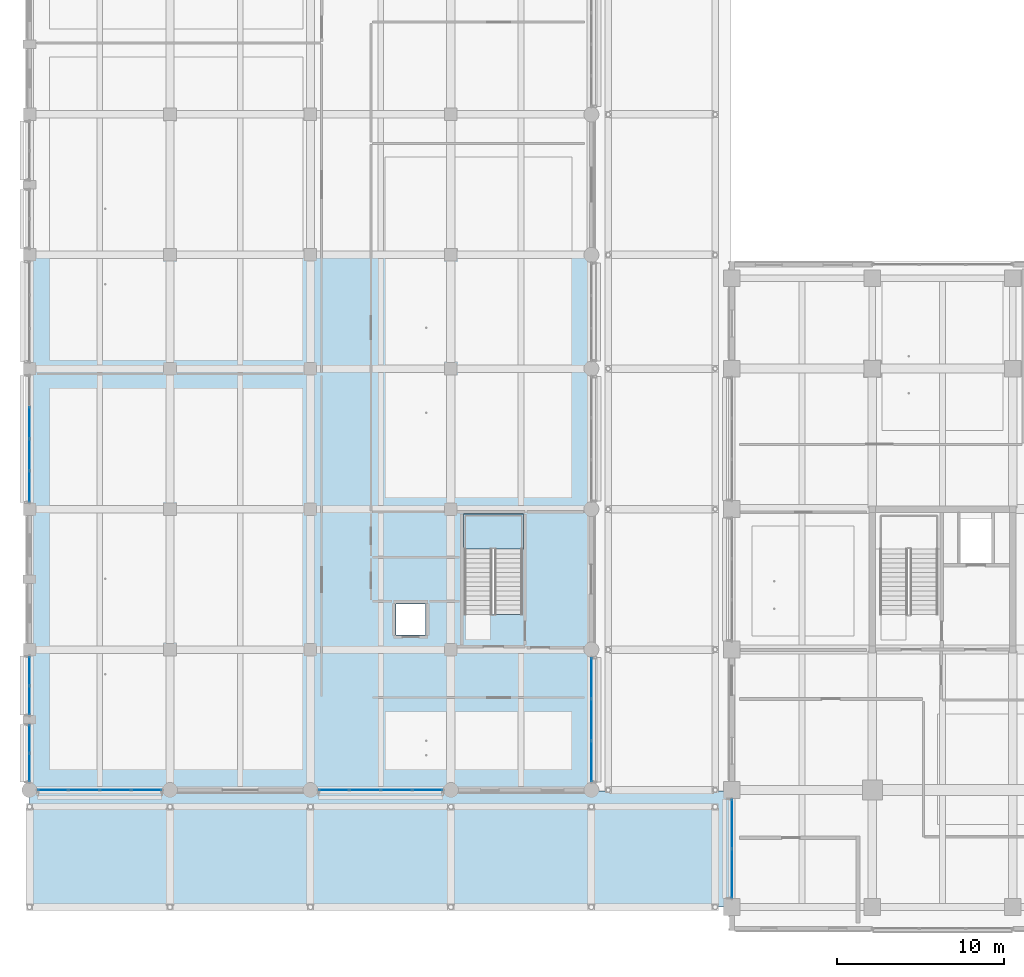
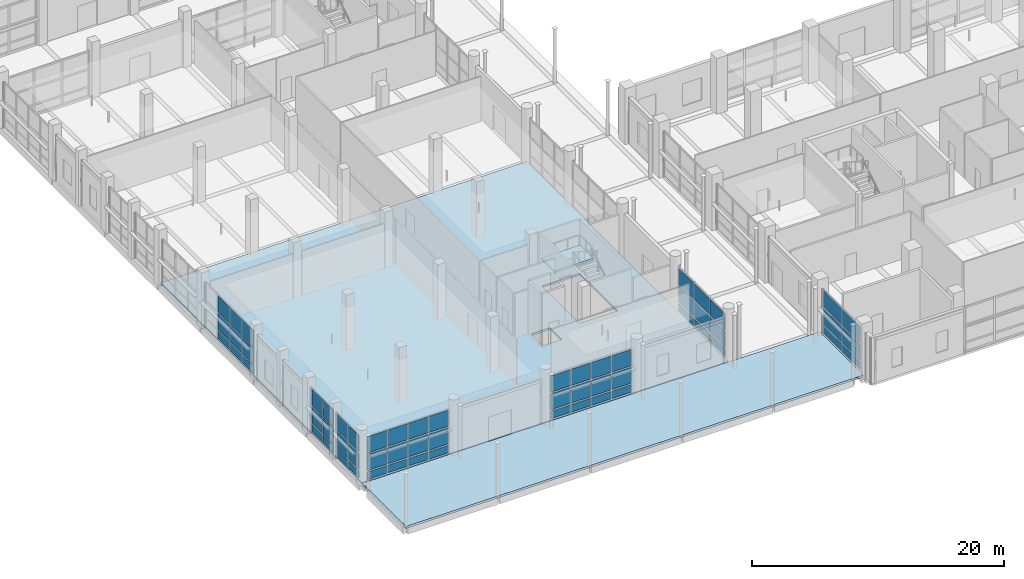
# One storey, part 45 of 140: 60 plates, 3 slabs, 8 elements without a shape of their own.
"""IFC4 building model written with IfcOpenShell, lengths in metres."""

from ifc_helpers import new_model, si_unit, direction, frame, origin, origin_2d, place, context, subcontext, project, spatial, polyline, rectangle, outline, extrude, material, layer, layer_set, type_object, element, aggregate, save


model = new_model("IFC4")

# Units and contexts
model_context = context("Model", 3, precision=1e-05, world=origin(), true_north=direction((0.0, 1.0)))
body_context = subcontext(model_context, "Body", "Model", "MODEL_VIEW")
ifc_project = project(units=[si_unit("LENGTHUNIT", "METRE"), si_unit("AREAUNIT", "SQUARE_METRE"), si_unit("VOLUMEUNIT", "CUBIC_METRE"), si_unit("PLANEANGLEUNIT", "RADIAN"), si_unit("MASSUNIT", "GRAM", prefix="KILO")], contexts=[model_context])

# Site, building, storey
site_placement = place(None, origin())
site = spatial("IfcSite", under=ifc_project, at=site_placement, CompositionType="ELEMENT")
building_placement = place(site_placement, origin())
building = spatial("IfcBuilding", under=site, at=building_placement, Name="Telukmera Botanical Conservatory", CompositionType="ELEMENT")
storey_placement = place(building_placement, origin())
storey = spatial("IfcBuildingStorey", under=building, at=storey_placement, Name="L00", CompositionType="ELEMENT", Elevation=0.0)

# Stair, slab
ifc_material_1 = material(Name="Concrete C40/50", Category="concrete")
stair_type = type_object("IfcStairType", Name="ST-ESC-5400", PredefinedType="HALF_TURN_STAIR", material=ifc_material_1)
stair_placement = place(storey_placement, origin())
stair = element("IfcStair", 1, at=stair_placement, inside=storey, type_object=stair_type, Name="L00 Protected Escape Stair ST3", PredefinedType="HALF_TURN_STAIR")
ifc_layer_1 = layer(ifc_material_1, 0.199951171875)
ifc_layer_set_1 = layer_set([ifc_layer_1], Name="Concrete C40/50")
slab_type_1 = type_object("IfcSlabType", Name="SL-LAND-200", PredefinedType="LANDING", material=ifc_layer_set_1)
slab_1_placement = place(storey_placement, frame((0.0, 0.0, 2.5)))
slab_1 = element("IfcSlab", 2, at=slab_1_placement, type_object=slab_type_1, Name="ST3 landing 1", PredefinedType="LANDING", context=body_context, shape_type="SweptSolid", body=[
    extrude(outline(polyline([(34.35009765625, 32.010009765625), (37.929931640625, 32.010009765625), (37.929931640625, 34.1201171875), (34.35009765625, 34.1201171875), (34.35009765625, 32.010009765625)])), origin(), (0.0, 0.0, 1.0), 0.199951171875),
])
aggregate(stair, [slab_1])

# Slabs
ifc_layer_2 = layer(ifc_material_1, 0.199951171875)
ifc_layer_set_2 = layer_set([ifc_layer_2], Name="Concrete C40/50")
slab_type_2 = type_object("IfcSlabType", Name="Slab_FS20", PredefinedType="FLOOR", material=ifc_layer_set_2)
slab_2_placement = place(storey_placement, frame((0.0, 0.0, -0.199951171875)))
element("IfcSlab", 3, at=slab_2_placement, inside=storey, type_object=slab_type_2, Name="Visitor Centre South Floor Slab L00", PredefinedType="FLOOR", context=body_context, shape_type="SweptSolid", body=[
    extrude(outline(polyline([(8.39990234375, 17.60009765625), (42.0, 17.60009765625), (42.0, 49.60009765625), (8.39990234375, 49.60009765625), (8.39990234375, 17.60009765625)]), holes=[polyline([(37.8798828125, 28.093017578125), (37.8798828125, 34.050048828125), (34.39990234375, 34.050048828125), (34.39990234375, 28.093017578125), (37.8798828125, 28.093017578125)]), polyline([(30.330078125, 26.8798828125), (32.070068359375, 26.8798828125), (32.070068359375, 28.719970703125), (30.330078125, 28.719970703125), (30.330078125, 26.8798828125)])]), origin(), (0.0, 0.0, 1.0), 0.199951171875),
])
ifc_layer_3 = layer(ifc_material_1, 0.199951171875)
ifc_layer_set_3 = layer_set([ifc_layer_3], Name="Concrete C40/50")
slab_type_3 = type_object("IfcSlabType", Name="Slab_TS20", PredefinedType="FLOOR", material=ifc_layer_set_3)
slab_3_placement = place(storey_placement, frame((0.0, 0.0, -0.199951171875)))
element("IfcSlab", 4, at=slab_3_placement, inside=storey, type_object=slab_type_3, Name="Boulevard Forecourt Deck Slab L00", PredefinedType="FLOOR", context=body_context, shape_type="SweptSolid", body=[
    extrude(outline(polyline([(8.39990234375, 10.60009765625), (50.340087890625, 10.60009765625), (50.340087890625, 17.5400390625), (8.39990234375, 17.5400390625), (8.39990234375, 10.60009765625)])), origin(), (0.0, 0.0, 1.0), 0.199951171875),
])

# Curtain wall, plates
ifc_material_2 = material(Name="Anodised aluminium 6063-T6", Category="aluminium")
ifc_layer_4 = layer(ifc_material_2, 0.179931640625)
ifc_layer_set_4 = layer_set([ifc_layer_4], Name="Anodised aluminium 6063-T6")
curtain_wall_type_1 = type_object("IfcCurtainWallType", Name="Visitor Colonnade Ground Curtain Wall 2400 Mod", PredefinedType="USERDEFINED", material=ifc_layer_set_4)
curtain_wall_1_placement = place(storey_placement, origin())
curtain_wall_1 = element("IfcCurtainWall", 5, at=curtain_wall_1_placement, inside=storey, type_object=curtain_wall_type_1, Name="Unitised Curtain Wall CW07 V3:L00:E1", ObjectType="UNITISED CURTAIN WALL", PredefinedType="USERDEFINED")
ifc_material_3 = material(Name="Spectrally selective low-E double glazing", Category="glass")
ifc_layer_5 = layer(ifc_material_3, 0.0380859375)
ifc_layer_set_5 = layer_set([ifc_layer_5], Name="Spectrally selective low-E double glazing")
plate_type_1 = type_object("IfcPlateType", Name="Solar Control Fritted Spandrel Glazing Panel 38", PredefinedType="CURTAIN_PANEL", material=ifc_layer_set_5)
plate_1_placement = place(storey_placement, frame((42.0, 19.31884765625, 0.14990234375), z_axis=(0.0, 0.0, 1.0), x_axis=(0.0, 1.0, 0.0)))
plate_1 = element("IfcPlate", 6, at=plate_1_placement, type_object=plate_type_1, Name="CW07 panel 1.1", PredefinedType="CURTAIN_PANEL", context=body_context, shape_type="SweptSolid", body=[
    extrude(rectangle(XDim=2.3935546875, YDim=0.0380859375, at=origin_2d()), origin(), (0.0, 0.0, 1.0), 0.72509765625),
])
plate_2_placement = place(storey_placement, frame((42.0, 19.31884765625, 1.02490234375), z_axis=(0.0, 0.0, 1.0), x_axis=(0.0, 1.0, 0.0)))
plate_2 = element("IfcPlate", 7, at=plate_2_placement, type_object=plate_type_1, Name="CW07 panel 1.2", PredefinedType="CURTAIN_PANEL", context=body_context, shape_type="SweptSolid", body=[
    extrude(rectangle(XDim=2.3935546875, YDim=0.0380859375, at=origin_2d()), origin(), (0.0, 0.0, 1.0), 1.550048828125),
])
plate_3_placement = place(storey_placement, frame((42.0, 19.31884765625, 2.72509765625), z_axis=(0.0, 0.0, 1.0), x_axis=(0.0, 1.0, 0.0)))
plate_3 = element("IfcPlate", 8, at=plate_3_placement, type_object=plate_type_1, Name="CW07 panel 1.3", PredefinedType="CURTAIN_PANEL", context=body_context, shape_type="SweptSolid", body=[
    extrude(rectangle(XDim=2.3935546875, YDim=0.0380859375, at=origin_2d()), origin(), (0.0, 0.0, 1.0), 1.574951171875),
])
plate_4_placement = place(storey_placement, frame((42.0, 21.800048828125, 0.14990234375), z_axis=(0.0, 0.0, 1.0), x_axis=(0.0, 1.0, 0.0)))
plate_4 = element("IfcPlate", 9, at=plate_4_placement, type_object=plate_type_1, Name="CW07 panel 2.1", PredefinedType="CURTAIN_PANEL", context=body_context, shape_type="SweptSolid", body=[
    extrude(rectangle(XDim=2.4287109375, YDim=0.0380859375, at=origin_2d()), origin(), (0.0, 0.0, 1.0), 0.72509765625),
])
plate_5_placement = place(storey_placement, frame((42.0, 21.800048828125, 1.02490234375), z_axis=(0.0, 0.0, 1.0), x_axis=(0.0, 1.0, 0.0)))
plate_5 = element("IfcPlate", 10, at=plate_5_placement, type_object=plate_type_1, Name="CW07 panel 2.2", PredefinedType="CURTAIN_PANEL", context=body_context, shape_type="SweptSolid", body=[
    extrude(rectangle(XDim=2.4287109375, YDim=0.0380859375, at=origin_2d()), origin(), (0.0, 0.0, 1.0), 1.550048828125),
])
plate_6_placement = place(storey_placement, frame((42.0, 21.800048828125, 2.72509765625), z_axis=(0.0, 0.0, 1.0), x_axis=(0.0, 1.0, 0.0)))
plate_6 = element("IfcPlate", 11, at=plate_6_placement, type_object=plate_type_1, Name="CW07 panel 2.3", PredefinedType="CURTAIN_PANEL", context=body_context, shape_type="SweptSolid", body=[
    extrude(rectangle(XDim=2.4287109375, YDim=0.0380859375, at=origin_2d()), origin(), (0.0, 0.0, 1.0), 1.574951171875),
])
plate_7_placement = place(storey_placement, frame((42.0, 24.28125, 0.14990234375), z_axis=(0.0, 0.0, 1.0), x_axis=(0.0, 1.0, 0.0)))
plate_7 = element("IfcPlate", 12, at=plate_7_placement, type_object=plate_type_1, Name="CW07 panel 3.1", PredefinedType="CURTAIN_PANEL", context=body_context, shape_type="SweptSolid", body=[
    extrude(rectangle(XDim=2.3935546875, YDim=0.0380859375, at=origin_2d()), origin(), (0.0, 0.0, 1.0), 0.72509765625),
])
plate_8_placement = place(storey_placement, frame((42.0, 24.28125, 1.02490234375), z_axis=(0.0, 0.0, 1.0), x_axis=(0.0, 1.0, 0.0)))
plate_8 = element("IfcPlate", 13, at=plate_8_placement, type_object=plate_type_1, Name="CW07 panel 3.2", PredefinedType="CURTAIN_PANEL", context=body_context, shape_type="SweptSolid", body=[
    extrude(rectangle(XDim=2.3935546875, YDim=0.0380859375, at=origin_2d()), origin(), (0.0, 0.0, 1.0), 1.550048828125),
])
plate_9_placement = place(storey_placement, frame((42.0, 24.28125, 2.72509765625), z_axis=(0.0, 0.0, 1.0), x_axis=(0.0, 1.0, 0.0)))
plate_9 = element("IfcPlate", 14, at=plate_9_placement, type_object=plate_type_1, Name="CW07 panel 3.3", PredefinedType="CURTAIN_PANEL", context=body_context, shape_type="SweptSolid", body=[
    extrude(rectangle(XDim=2.3935546875, YDim=0.0380859375, at=origin_2d()), origin(), (0.0, 0.0, 1.0), 1.574951171875),
])
aggregate(curtain_wall_1, [plate_1, plate_2, plate_3, plate_4, plate_5, plate_6, plate_7, plate_8, plate_9])

ifc_layer_6 = layer(ifc_material_2, 0.179931640625)
ifc_layer_set_6 = layer_set([ifc_layer_6], Name="Anodised aluminium 6063-T6")
curtain_wall_type_2 = type_object("IfcCurtainWallType", Name="Tower Boulevard Podium Hall Curtain Wall", PredefinedType="USERDEFINED", material=ifc_layer_set_6)
curtain_wall_2_placement = place(storey_placement, origin())
curtain_wall_2 = element("IfcCurtainWall", 15, at=curtain_wall_2_placement, inside=storey, type_object=curtain_wall_type_2, Name="Unitised Curtain Wall CW12 V4:L00:W1", ObjectType="UNITISED CURTAIN WALL", PredefinedType="USERDEFINED")
plate_10_placement = place(storey_placement, frame((50.39990234375, 12.618408203125, 0.14990234375), z_axis=(0.0, 0.0, 1.0), x_axis=(0.0, 1.0, 0.0)))
plate_10 = element("IfcPlate", 16, at=plate_10_placement, type_object=plate_type_1, Name="CW12 panel 1.1", PredefinedType="CURTAIN_PANEL", context=body_context, shape_type="SweptSolid", body=[
    extrude(rectangle(XDim=2.89306640625, YDim=0.0380859375, at=origin_2d()), origin(), (0.0, 0.0, 1.0), 0.72509765625),
])
plate_11_placement = place(storey_placement, frame((50.39990234375, 12.618408203125, 1.02490234375), z_axis=(0.0, 0.0, 1.0), x_axis=(0.0, 1.0, 0.0)))
plate_11 = element("IfcPlate", 17, at=plate_11_placement, type_object=plate_type_1, Name="CW12 panel 1.2", PredefinedType="CURTAIN_PANEL", context=body_context, shape_type="SweptSolid", body=[
    extrude(rectangle(XDim=2.89306640625, YDim=0.0380859375, at=origin_2d()), origin(), (0.0, 0.0, 1.0), 1.550048828125),
])
plate_12_placement = place(storey_placement, frame((50.39990234375, 12.618408203125, 2.72509765625), z_axis=(0.0, 0.0, 1.0), x_axis=(0.0, 1.0, 0.0)))
plate_12 = element("IfcPlate", 18, at=plate_12_placement, type_object=plate_type_1, Name="CW12 panel 1.3", PredefinedType="CURTAIN_PANEL", context=body_context, shape_type="SweptSolid", body=[
    extrude(rectangle(XDim=2.89306640625, YDim=0.0380859375, at=origin_2d()), origin(), (0.0, 0.0, 1.0), 1.574951171875),
])
plate_13_placement = place(storey_placement, frame((50.39990234375, 15.58154296875, 0.14990234375), z_axis=(0.0, 0.0, 1.0), x_axis=(0.0, 1.0, 0.0)))
plate_13 = element("IfcPlate", 19, at=plate_13_placement, type_object=plate_type_1, Name="CW12 panel 2.1", PredefinedType="CURTAIN_PANEL", context=body_context, shape_type="SweptSolid", body=[
    extrude(rectangle(XDim=2.89306640625, YDim=0.0380859375, at=origin_2d()), origin(), (0.0, 0.0, 1.0), 0.72509765625),
])
plate_14_placement = place(storey_placement, frame((50.39990234375, 15.58154296875, 1.02490234375), z_axis=(0.0, 0.0, 1.0), x_axis=(0.0, 1.0, 0.0)))
plate_14 = element("IfcPlate", 20, at=plate_14_placement, type_object=plate_type_1, Name="CW12 panel 2.2", PredefinedType="CURTAIN_PANEL", context=body_context, shape_type="SweptSolid", body=[
    extrude(rectangle(XDim=2.89306640625, YDim=0.0380859375, at=origin_2d()), origin(), (0.0, 0.0, 1.0), 1.550048828125),
])
plate_15_placement = place(storey_placement, frame((50.39990234375, 15.58154296875, 2.72509765625), z_axis=(0.0, 0.0, 1.0), x_axis=(0.0, 1.0, 0.0)))
plate_15 = element("IfcPlate", 21, at=plate_15_placement, type_object=plate_type_1, Name="CW12 panel 2.3", PredefinedType="CURTAIN_PANEL", context=body_context, shape_type="SweptSolid", body=[
    extrude(rectangle(XDim=2.89306640625, YDim=0.0380859375, at=origin_2d()), origin(), (0.0, 0.0, 1.0), 1.574951171875),
])
aggregate(curtain_wall_2, [plate_10, plate_11, plate_12, plate_13, plate_14, plate_15])

ifc_layer_7 = layer(ifc_material_2, 0.179931640625)
ifc_layer_set_7 = layer_set([ifc_layer_7], Name="Anodised aluminium 6063-T6")
curtain_wall_type_3 = type_object("IfcCurtainWallType", Name="Visitor Colonnade Ground Curtain Wall 1800 Mod", PredefinedType="USERDEFINED", material=ifc_layer_set_7)
curtain_wall_3_placement = place(storey_placement, origin())
curtain_wall_3 = element("IfcCurtainWall", 22, at=curtain_wall_3_placement, inside=storey, type_object=curtain_wall_type_3, Name="Unitised Curtain Wall CW06 V3:L00:S1", ObjectType="UNITISED CURTAIN WALL", PredefinedType="USERDEFINED")
ifc_layer_8 = layer(ifc_material_3, 0.028076171875)
ifc_layer_set_8 = layer_set([ifc_layer_8], Name="Spectrally selective low-E double glazing")
plate_type_2 = type_object("IfcPlateType", Name="Spectrally Selective Vision Double Glazing Panel 28", PredefinedType="CURTAIN_PANEL", material=ifc_layer_set_8)
plate_16_placement = place(storey_placement, frame((9.806396484375, 17.60009765625, 0.14990234375), z_axis=(0.0, 0.0, 1.0), x_axis=(1.0, 0.0, 0.0)))
plate_16 = element("IfcPlate", 23, at=plate_16_placement, type_object=plate_type_2, Name="CW06 panel 1.1", PredefinedType="CURTAIN_PANEL", context=body_context, shape_type="SweptSolid", body=[
    extrude(rectangle(XDim=1.76904296875, YDim=0.028076171875, at=origin_2d()), origin(), (0.0, 0.0, 1.0), 0.72509765625),
])
plate_17_placement = place(storey_placement, frame((9.806396484375, 17.60009765625, 1.02490234375), z_axis=(0.0, 0.0, 1.0), x_axis=(1.0, 0.0, 0.0)))
plate_17 = element("IfcPlate", 24, at=plate_17_placement, type_object=plate_type_2, Name="CW06 panel 1.2", PredefinedType="CURTAIN_PANEL", context=body_context, shape_type="SweptSolid", body=[
    extrude(rectangle(XDim=1.76904296875, YDim=0.028076171875, at=origin_2d()), origin(), (0.0, 0.0, 1.0), 1.550048828125),
])
plate_18_placement = place(storey_placement, frame((9.806396484375, 17.60009765625, 2.72509765625), z_axis=(0.0, 0.0, 1.0), x_axis=(1.0, 0.0, 0.0)))
plate_18 = element("IfcPlate", 25, at=plate_18_placement, type_object=plate_type_2, Name="CW06 panel 1.3", PredefinedType="CURTAIN_PANEL", context=body_context, shape_type="SweptSolid", body=[
    extrude(rectangle(XDim=1.76904296875, YDim=0.028076171875, at=origin_2d()), origin(), (0.0, 0.0, 1.0), 1.574951171875),
])
plate_19_placement = place(storey_placement, frame((11.6630859375, 17.60009765625, 0.14990234375), z_axis=(0.0, 0.0, 1.0), x_axis=(1.0, 0.0, 0.0)))
plate_19 = element("IfcPlate", 26, at=plate_19_placement, type_object=plate_type_2, Name="CW06 panel 2.1", PredefinedType="CURTAIN_PANEL", context=body_context, shape_type="SweptSolid", body=[
    extrude(rectangle(XDim=1.803955078125, YDim=0.028076171875, at=origin_2d()), origin(), (0.0, 0.0, 1.0), 0.72509765625),
])
plate_20_placement = place(storey_placement, frame((11.6630859375, 17.60009765625, 1.02490234375), z_axis=(0.0, 0.0, 1.0), x_axis=(1.0, 0.0, 0.0)))
plate_20 = element("IfcPlate", 27, at=plate_20_placement, type_object=plate_type_2, Name="CW06 panel 2.2", PredefinedType="CURTAIN_PANEL", context=body_context, shape_type="SweptSolid", body=[
    extrude(rectangle(XDim=1.803955078125, YDim=0.028076171875, at=origin_2d()), origin(), (0.0, 0.0, 1.0), 1.550048828125),
])
plate_21_placement = place(storey_placement, frame((11.6630859375, 17.60009765625, 2.72509765625), z_axis=(0.0, 0.0, 1.0), x_axis=(1.0, 0.0, 0.0)))
plate_21 = element("IfcPlate", 28, at=plate_21_placement, type_object=plate_type_2, Name="CW06 panel 2.3", PredefinedType="CURTAIN_PANEL", context=body_context, shape_type="SweptSolid", body=[
    extrude(rectangle(XDim=1.803955078125, YDim=0.028076171875, at=origin_2d()), origin(), (0.0, 0.0, 1.0), 1.574951171875),
])
plate_22_placement = place(storey_placement, frame((13.537109375, 17.60009765625, 0.14990234375), z_axis=(0.0, 0.0, 1.0), x_axis=(1.0, 0.0, 0.0)))
plate_22 = element("IfcPlate", 29, at=plate_22_placement, type_object=plate_type_2, Name="CW06 panel 3.1", PredefinedType="CURTAIN_PANEL", context=body_context, shape_type="SweptSolid", body=[
    extrude(rectangle(XDim=1.803955078125, YDim=0.028076171875, at=origin_2d()), origin(), (0.0, 0.0, 1.0), 0.72509765625),
])
plate_23_placement = place(storey_placement, frame((13.537109375, 17.60009765625, 1.02490234375), z_axis=(0.0, 0.0, 1.0), x_axis=(1.0, 0.0, 0.0)))
plate_23 = element("IfcPlate", 30, at=plate_23_placement, type_object=plate_type_2, Name="CW06 panel 3.2", PredefinedType="CURTAIN_PANEL", context=body_context, shape_type="SweptSolid", body=[
    extrude(rectangle(XDim=1.803955078125, YDim=0.028076171875, at=origin_2d()), origin(), (0.0, 0.0, 1.0), 1.550048828125),
])
plate_24_placement = place(storey_placement, frame((13.537109375, 17.60009765625, 2.72509765625), z_axis=(0.0, 0.0, 1.0), x_axis=(1.0, 0.0, 0.0)))
plate_24 = element("IfcPlate", 31, at=plate_24_placement, type_object=plate_type_2, Name="CW06 panel 3.3", PredefinedType="CURTAIN_PANEL", context=body_context, shape_type="SweptSolid", body=[
    extrude(rectangle(XDim=1.803955078125, YDim=0.028076171875, at=origin_2d()), origin(), (0.0, 0.0, 1.0), 1.574951171875),
])
plate_25_placement = place(storey_placement, frame((15.3935546875, 17.60009765625, 0.14990234375), z_axis=(0.0, 0.0, 1.0), x_axis=(1.0, 0.0, 0.0)))
plate_25 = element("IfcPlate", 32, at=plate_25_placement, type_object=plate_type_2, Name="CW06 panel 4.1", PredefinedType="CURTAIN_PANEL", context=body_context, shape_type="SweptSolid", body=[
    extrude(rectangle(XDim=1.76904296875, YDim=0.028076171875, at=origin_2d()), origin(), (0.0, 0.0, 1.0), 0.72509765625),
])
plate_26_placement = place(storey_placement, frame((15.3935546875, 17.60009765625, 1.02490234375), z_axis=(0.0, 0.0, 1.0), x_axis=(1.0, 0.0, 0.0)))
plate_26 = element("IfcPlate", 33, at=plate_26_placement, type_object=plate_type_2, Name="CW06 panel 4.2", PredefinedType="CURTAIN_PANEL", context=body_context, shape_type="SweptSolid", body=[
    extrude(rectangle(XDim=1.76904296875, YDim=0.028076171875, at=origin_2d()), origin(), (0.0, 0.0, 1.0), 1.550048828125),
])
plate_27_placement = place(storey_placement, frame((15.3935546875, 17.60009765625, 2.72509765625), z_axis=(0.0, 0.0, 1.0), x_axis=(1.0, 0.0, 0.0)))
plate_27 = element("IfcPlate", 34, at=plate_27_placement, type_object=plate_type_2, Name="CW06 panel 4.3", PredefinedType="CURTAIN_PANEL", context=body_context, shape_type="SweptSolid", body=[
    extrude(rectangle(XDim=1.76904296875, YDim=0.028076171875, at=origin_2d()), origin(), (0.0, 0.0, 1.0), 1.574951171875),
])
aggregate(curtain_wall_3, [plate_16, plate_17, plate_18, plate_19, plate_20, plate_21, plate_22, plate_23, plate_24, plate_25, plate_26, plate_27])

curtain_wall_4_placement = place(storey_placement, origin())
curtain_wall_4 = element("IfcCurtainWall", 35, at=curtain_wall_4_placement, inside=storey, type_object=curtain_wall_type_3, Name="Unitised Curtain Wall CW06 V3:L00:S3", ObjectType="UNITISED CURTAIN WALL", PredefinedType="USERDEFINED")
plate_28_placement = place(storey_placement, frame((26.6064453125, 17.60009765625, 0.14990234375), z_axis=(0.0, 0.0, 1.0), x_axis=(1.0, 0.0, 0.0)))
plate_28 = element("IfcPlate", 36, at=plate_28_placement, type_object=plate_type_2, Name="CW06 panel 1.1", PredefinedType="CURTAIN_PANEL", context=body_context, shape_type="SweptSolid", body=[
    extrude(rectangle(XDim=1.76904296875, YDim=0.028076171875, at=origin_2d()), origin(), (0.0, 0.0, 1.0), 0.72509765625),
])
plate_29_placement = place(storey_placement, frame((26.6064453125, 17.60009765625, 1.02490234375), z_axis=(0.0, 0.0, 1.0), x_axis=(1.0, 0.0, 0.0)))
plate_29 = element("IfcPlate", 37, at=plate_29_placement, type_object=plate_type_2, Name="CW06 panel 1.2", PredefinedType="CURTAIN_PANEL", context=body_context, shape_type="SweptSolid", body=[
    extrude(rectangle(XDim=1.76904296875, YDim=0.028076171875, at=origin_2d()), origin(), (0.0, 0.0, 1.0), 1.550048828125),
])
plate_30_placement = place(storey_placement, frame((26.6064453125, 17.60009765625, 2.72509765625), z_axis=(0.0, 0.0, 1.0), x_axis=(1.0, 0.0, 0.0)))
plate_30 = element("IfcPlate", 38, at=plate_30_placement, type_object=plate_type_2, Name="CW06 panel 1.3", PredefinedType="CURTAIN_PANEL", context=body_context, shape_type="SweptSolid", body=[
    extrude(rectangle(XDim=1.76904296875, YDim=0.028076171875, at=origin_2d()), origin(), (0.0, 0.0, 1.0), 1.574951171875),
])
plate_31_placement = place(storey_placement, frame((28.462890625, 17.60009765625, 0.14990234375), z_axis=(0.0, 0.0, 1.0), x_axis=(1.0, 0.0, 0.0)))
plate_31 = element("IfcPlate", 39, at=plate_31_placement, type_object=plate_type_2, Name="CW06 panel 2.1", PredefinedType="CURTAIN_PANEL", context=body_context, shape_type="SweptSolid", body=[
    extrude(rectangle(XDim=1.803955078125, YDim=0.028076171875, at=origin_2d()), origin(), (0.0, 0.0, 1.0), 0.72509765625),
])
plate_32_placement = place(storey_placement, frame((28.462890625, 17.60009765625, 1.02490234375), z_axis=(0.0, 0.0, 1.0), x_axis=(1.0, 0.0, 0.0)))
plate_32 = element("IfcPlate", 40, at=plate_32_placement, type_object=plate_type_2, Name="CW06 panel 2.2", PredefinedType="CURTAIN_PANEL", context=body_context, shape_type="SweptSolid", body=[
    extrude(rectangle(XDim=1.803955078125, YDim=0.028076171875, at=origin_2d()), origin(), (0.0, 0.0, 1.0), 1.550048828125),
])
plate_33_placement = place(storey_placement, frame((28.462890625, 17.60009765625, 2.72509765625), z_axis=(0.0, 0.0, 1.0), x_axis=(1.0, 0.0, 0.0)))
plate_33 = element("IfcPlate", 41, at=plate_33_placement, type_object=plate_type_2, Name="CW06 panel 2.3", PredefinedType="CURTAIN_PANEL", context=body_context, shape_type="SweptSolid", body=[
    extrude(rectangle(XDim=1.803955078125, YDim=0.028076171875, at=origin_2d()), origin(), (0.0, 0.0, 1.0), 1.574951171875),
])
plate_34_placement = place(storey_placement, frame((30.3369140625, 17.60009765625, 0.14990234375), z_axis=(0.0, 0.0, 1.0), x_axis=(1.0, 0.0, 0.0)))
plate_34 = element("IfcPlate", 42, at=plate_34_placement, type_object=plate_type_2, Name="CW06 panel 3.1", PredefinedType="CURTAIN_PANEL", context=body_context, shape_type="SweptSolid", body=[
    extrude(rectangle(XDim=1.803955078125, YDim=0.028076171875, at=origin_2d()), origin(), (0.0, 0.0, 1.0), 0.72509765625),
])
plate_35_placement = place(storey_placement, frame((30.3369140625, 17.60009765625, 1.02490234375), z_axis=(0.0, 0.0, 1.0), x_axis=(1.0, 0.0, 0.0)))
plate_35 = element("IfcPlate", 43, at=plate_35_placement, type_object=plate_type_2, Name="CW06 panel 3.2", PredefinedType="CURTAIN_PANEL", context=body_context, shape_type="SweptSolid", body=[
    extrude(rectangle(XDim=1.803955078125, YDim=0.028076171875, at=origin_2d()), origin(), (0.0, 0.0, 1.0), 1.550048828125),
])
plate_36_placement = place(storey_placement, frame((30.3369140625, 17.60009765625, 2.72509765625), z_axis=(0.0, 0.0, 1.0), x_axis=(1.0, 0.0, 0.0)))
plate_36 = element("IfcPlate", 44, at=plate_36_placement, type_object=plate_type_2, Name="CW06 panel 3.3", PredefinedType="CURTAIN_PANEL", context=body_context, shape_type="SweptSolid", body=[
    extrude(rectangle(XDim=1.803955078125, YDim=0.028076171875, at=origin_2d()), origin(), (0.0, 0.0, 1.0), 1.574951171875),
])
plate_37_placement = place(storey_placement, frame((32.193603515625, 17.60009765625, 0.14990234375), z_axis=(0.0, 0.0, 1.0), x_axis=(1.0, 0.0, 0.0)))
plate_37 = element("IfcPlate", 45, at=plate_37_placement, type_object=plate_type_2, Name="CW06 panel 4.1", PredefinedType="CURTAIN_PANEL", context=body_context, shape_type="SweptSolid", body=[
    extrude(rectangle(XDim=1.76904296875, YDim=0.028076171875, at=origin_2d()), origin(), (0.0, 0.0, 1.0), 0.72509765625),
])
plate_38_placement = place(storey_placement, frame((32.193603515625, 17.60009765625, 1.02490234375), z_axis=(0.0, 0.0, 1.0), x_axis=(1.0, 0.0, 0.0)))
plate_38 = element("IfcPlate", 46, at=plate_38_placement, type_object=plate_type_2, Name="CW06 panel 4.2", PredefinedType="CURTAIN_PANEL", context=body_context, shape_type="SweptSolid", body=[
    extrude(rectangle(XDim=1.76904296875, YDim=0.028076171875, at=origin_2d()), origin(), (0.0, 0.0, 1.0), 1.550048828125),
])
plate_39_placement = place(storey_placement, frame((32.193603515625, 17.60009765625, 2.72509765625), z_axis=(0.0, 0.0, 1.0), x_axis=(1.0, 0.0, 0.0)))
plate_39 = element("IfcPlate", 47, at=plate_39_placement, type_object=plate_type_2, Name="CW06 panel 4.3", PredefinedType="CURTAIN_PANEL", context=body_context, shape_type="SweptSolid", body=[
    extrude(rectangle(XDim=1.76904296875, YDim=0.028076171875, at=origin_2d()), origin(), (0.0, 0.0, 1.0), 1.574951171875),
])
aggregate(curtain_wall_4, [plate_28, plate_29, plate_30, plate_31, plate_32, plate_33, plate_34, plate_35, plate_36, plate_37, plate_38, plate_39])

curtain_wall_5_placement = place(storey_placement, origin())
curtain_wall_5 = element("IfcCurtainWall", 48, at=curtain_wall_5_placement, inside=storey, type_object=curtain_wall_type_3, Name="Unitised Curtain Wall CW06 V3:L00:W1A", ObjectType="UNITISED CURTAIN WALL", PredefinedType="USERDEFINED")
plate_40_placement = place(storey_placement, frame((8.39990234375, 18.943603515625, 0.14990234375), z_axis=(0.0, 0.0, 1.0), x_axis=(0.0, 1.0, 0.0)))
plate_40 = element("IfcPlate", 49, at=plate_40_placement, type_object=plate_type_2, Name="CW06 panel 1.1", PredefinedType="CURTAIN_PANEL", context=body_context, shape_type="SweptSolid", body=[
    extrude(rectangle(XDim=1.64306640625, YDim=0.028076171875, at=origin_2d()), origin(), (0.0, 0.0, 1.0), 0.72509765625),
])
plate_41_placement = place(storey_placement, frame((8.39990234375, 18.943603515625, 1.02490234375), z_axis=(0.0, 0.0, 1.0), x_axis=(0.0, 1.0, 0.0)))
plate_41 = element("IfcPlate", 50, at=plate_41_placement, type_object=plate_type_2, Name="CW06 panel 1.2", PredefinedType="CURTAIN_PANEL", context=body_context, shape_type="SweptSolid", body=[
    extrude(rectangle(XDim=1.64306640625, YDim=0.028076171875, at=origin_2d()), origin(), (0.0, 0.0, 1.0), 1.550048828125),
])
plate_42_placement = place(storey_placement, frame((8.39990234375, 18.943603515625, 2.72509765625), z_axis=(0.0, 0.0, 1.0), x_axis=(0.0, 1.0, 0.0)))
plate_42 = element("IfcPlate", 51, at=plate_42_placement, type_object=plate_type_2, Name="CW06 panel 1.3", PredefinedType="CURTAIN_PANEL", context=body_context, shape_type="SweptSolid", body=[
    extrude(rectangle(XDim=1.64306640625, YDim=0.028076171875, at=origin_2d()), origin(), (0.0, 0.0, 1.0), 1.574951171875),
])
plate_43_placement = place(storey_placement, frame((8.39990234375, 20.656494140625, 0.14990234375), z_axis=(0.0, 0.0, 1.0), x_axis=(0.0, 1.0, 0.0)))
plate_43 = element("IfcPlate", 52, at=plate_43_placement, type_object=plate_type_2, Name="CW06 panel 2.1", PredefinedType="CURTAIN_PANEL", context=body_context, shape_type="SweptSolid", body=[
    extrude(rectangle(XDim=1.64306640625, YDim=0.028076171875, at=origin_2d()), origin(), (0.0, 0.0, 1.0), 0.72509765625),
])
plate_44_placement = place(storey_placement, frame((8.39990234375, 20.656494140625, 1.02490234375), z_axis=(0.0, 0.0, 1.0), x_axis=(0.0, 1.0, 0.0)))
plate_44 = element("IfcPlate", 53, at=plate_44_placement, type_object=plate_type_2, Name="CW06 panel 2.2", PredefinedType="CURTAIN_PANEL", context=body_context, shape_type="SweptSolid", body=[
    extrude(rectangle(XDim=1.64306640625, YDim=0.028076171875, at=origin_2d()), origin(), (0.0, 0.0, 1.0), 1.550048828125),
])
plate_45_placement = place(storey_placement, frame((8.39990234375, 20.656494140625, 2.72509765625), z_axis=(0.0, 0.0, 1.0), x_axis=(0.0, 1.0, 0.0)))
plate_45 = element("IfcPlate", 54, at=plate_45_placement, type_object=plate_type_2, Name="CW06 panel 2.3", PredefinedType="CURTAIN_PANEL", context=body_context, shape_type="SweptSolid", body=[
    extrude(rectangle(XDim=1.64306640625, YDim=0.028076171875, at=origin_2d()), origin(), (0.0, 0.0, 1.0), 1.574951171875),
])
aggregate(curtain_wall_5, [plate_40, plate_41, plate_42, plate_43, plate_44, plate_45])

curtain_wall_6_placement = place(storey_placement, origin())
curtain_wall_6 = element("IfcCurtainWall", 55, at=curtain_wall_6_placement, inside=storey, type_object=curtain_wall_type_3, Name="Unitised Curtain Wall CW06 V3:L00:W1B", ObjectType="UNITISED CURTAIN WALL", PredefinedType="USERDEFINED")
plate_46_placement = place(storey_placement, frame((8.39990234375, 22.962158203125, 0.14990234375), z_axis=(0.0, 0.0, 1.0), x_axis=(0.0, 1.0, 0.0)))
plate_46 = element("IfcPlate", 56, at=plate_46_placement, type_object=plate_type_2, Name="CW06 panel 1.1", PredefinedType="CURTAIN_PANEL", context=body_context, shape_type="SweptSolid", body=[
    extrude(rectangle(XDim=1.680419921875, YDim=0.028076171875, at=origin_2d()), origin(), (0.0, 0.0, 1.0), 0.72509765625),
])
plate_47_placement = place(storey_placement, frame((8.39990234375, 22.962158203125, 1.02490234375), z_axis=(0.0, 0.0, 1.0), x_axis=(0.0, 1.0, 0.0)))
plate_47 = element("IfcPlate", 57, at=plate_47_placement, type_object=plate_type_2, Name="CW06 panel 1.2", PredefinedType="CURTAIN_PANEL", context=body_context, shape_type="SweptSolid", body=[
    extrude(rectangle(XDim=1.680419921875, YDim=0.028076171875, at=origin_2d()), origin(), (0.0, 0.0, 1.0), 1.550048828125),
])
plate_48_placement = place(storey_placement, frame((8.39990234375, 22.962158203125, 2.72509765625), z_axis=(0.0, 0.0, 1.0), x_axis=(0.0, 1.0, 0.0)))
plate_48 = element("IfcPlate", 58, at=plate_48_placement, type_object=plate_type_2, Name="CW06 panel 1.3", PredefinedType="CURTAIN_PANEL", context=body_context, shape_type="SweptSolid", body=[
    extrude(rectangle(XDim=1.680419921875, YDim=0.028076171875, at=origin_2d()), origin(), (0.0, 0.0, 1.0), 1.574951171875),
])
plate_49_placement = place(storey_placement, frame((8.39990234375, 24.712646484375, 0.14990234375), z_axis=(0.0, 0.0, 1.0), x_axis=(0.0, 1.0, 0.0)))
plate_49 = element("IfcPlate", 59, at=plate_49_placement, type_object=plate_type_2, Name="CW06 panel 2.1", PredefinedType="CURTAIN_PANEL", context=body_context, shape_type="SweptSolid", body=[
    extrude(rectangle(XDim=1.680419921875, YDim=0.028076171875, at=origin_2d()), origin(), (0.0, 0.0, 1.0), 0.72509765625),
])
plate_50_placement = place(storey_placement, frame((8.39990234375, 24.712646484375, 1.02490234375), z_axis=(0.0, 0.0, 1.0), x_axis=(0.0, 1.0, 0.0)))
plate_50 = element("IfcPlate", 60, at=plate_50_placement, type_object=plate_type_2, Name="CW06 panel 2.2", PredefinedType="CURTAIN_PANEL", context=body_context, shape_type="SweptSolid", body=[
    extrude(rectangle(XDim=1.680419921875, YDim=0.028076171875, at=origin_2d()), origin(), (0.0, 0.0, 1.0), 1.550048828125),
])
plate_51_placement = place(storey_placement, frame((8.39990234375, 24.712646484375, 2.72509765625), z_axis=(0.0, 0.0, 1.0), x_axis=(0.0, 1.0, 0.0)))
plate_51 = element("IfcPlate", 61, at=plate_51_placement, type_object=plate_type_2, Name="CW06 panel 2.3", PredefinedType="CURTAIN_PANEL", context=body_context, shape_type="SweptSolid", body=[
    extrude(rectangle(XDim=1.680419921875, YDim=0.028076171875, at=origin_2d()), origin(), (0.0, 0.0, 1.0), 1.574951171875),
])
aggregate(curtain_wall_6, [plate_46, plate_47, plate_48, plate_49, plate_50, plate_51])

curtain_wall_7_placement = place(storey_placement, origin())
curtain_wall_7 = element("IfcCurtainWall", 62, at=curtain_wall_7_placement, inside=storey, type_object=curtain_wall_type_3, Name="Unitised Curtain Wall CW06 V3:L00:W3", ObjectType="UNITISED CURTAIN WALL", PredefinedType="USERDEFINED")
plate_52_placement = place(storey_placement, frame((8.39990234375, 35.750244140625, 0.14990234375), z_axis=(0.0, 0.0, 1.0), x_axis=(0.0, 1.0, 0.0)))
plate_52 = element("IfcPlate", 63, at=plate_52_placement, type_object=plate_type_2, Name="CW06 panel 1.1", PredefinedType="CURTAIN_PANEL", context=body_context, shape_type="SweptSolid", body=[
    extrude(rectangle(XDim=1.806396484375, YDim=0.028076171875, at=origin_2d()), origin(), (0.0, 0.0, 1.0), 0.72509765625),
])
plate_53_placement = place(storey_placement, frame((8.39990234375, 35.750244140625, 1.02490234375), z_axis=(0.0, 0.0, 1.0), x_axis=(0.0, 1.0, 0.0)))
plate_53 = element("IfcPlate", 64, at=plate_53_placement, type_object=plate_type_2, Name="CW06 panel 1.2", PredefinedType="CURTAIN_PANEL", context=body_context, shape_type="SweptSolid", body=[
    extrude(rectangle(XDim=1.806396484375, YDim=0.028076171875, at=origin_2d()), origin(), (0.0, 0.0, 1.0), 1.550048828125),
])
plate_54_placement = place(storey_placement, frame((8.39990234375, 35.750244140625, 2.72509765625), z_axis=(0.0, 0.0, 1.0), x_axis=(0.0, 1.0, 0.0)))
plate_54 = element("IfcPlate", 65, at=plate_54_placement, type_object=plate_type_2, Name="CW06 panel 1.3", PredefinedType="CURTAIN_PANEL", context=body_context, shape_type="SweptSolid", body=[
    extrude(rectangle(XDim=1.806396484375, YDim=0.028076171875, at=origin_2d()), origin(), (0.0, 0.0, 1.0), 1.574951171875),
])
plate_55_placement = place(storey_placement, frame((8.39990234375, 37.644287109375, 0.14990234375), z_axis=(0.0, 0.0, 1.0), x_axis=(0.0, 1.0, 0.0)))
plate_55 = element("IfcPlate", 66, at=plate_55_placement, type_object=plate_type_2, Name="CW06 panel 2.1", PredefinedType="CURTAIN_PANEL", context=body_context, shape_type="SweptSolid", body=[
    extrude(rectangle(XDim=1.841552734375, YDim=0.028076171875, at=origin_2d()), origin(), (0.0, 0.0, 1.0), 0.72509765625),
])
plate_56_placement = place(storey_placement, frame((8.39990234375, 37.644287109375, 1.02490234375), z_axis=(0.0, 0.0, 1.0), x_axis=(0.0, 1.0, 0.0)))
plate_56 = element("IfcPlate", 67, at=plate_56_placement, type_object=plate_type_2, Name="CW06 panel 2.2", PredefinedType="CURTAIN_PANEL", context=body_context, shape_type="SweptSolid", body=[
    extrude(rectangle(XDim=1.841552734375, YDim=0.028076171875, at=origin_2d()), origin(), (0.0, 0.0, 1.0), 1.550048828125),
])
plate_57_placement = place(storey_placement, frame((8.39990234375, 37.644287109375, 2.72509765625), z_axis=(0.0, 0.0, 1.0), x_axis=(0.0, 1.0, 0.0)))
plate_57 = element("IfcPlate", 68, at=plate_57_placement, type_object=plate_type_2, Name="CW06 panel 2.3", PredefinedType="CURTAIN_PANEL", context=body_context, shape_type="SweptSolid", body=[
    extrude(rectangle(XDim=1.841552734375, YDim=0.028076171875, at=origin_2d()), origin(), (0.0, 0.0, 1.0), 1.574951171875),
])
plate_58_placement = place(storey_placement, frame((8.39990234375, 39.5556640625, 0.14990234375), z_axis=(0.0, 0.0, 1.0), x_axis=(0.0, 1.0, 0.0)))
plate_58 = element("IfcPlate", 69, at=plate_58_placement, type_object=plate_type_2, Name="CW06 panel 3.1", PredefinedType="CURTAIN_PANEL", context=body_context, shape_type="SweptSolid", body=[
    extrude(rectangle(XDim=1.841552734375, YDim=0.028076171875, at=origin_2d()), origin(), (0.0, 0.0, 1.0), 0.72509765625),
])
plate_59_placement = place(storey_placement, frame((8.39990234375, 39.5556640625, 1.02490234375), z_axis=(0.0, 0.0, 1.0), x_axis=(0.0, 1.0, 0.0)))
plate_59 = element("IfcPlate", 70, at=plate_59_placement, type_object=plate_type_2, Name="CW06 panel 3.2", PredefinedType="CURTAIN_PANEL", context=body_context, shape_type="SweptSolid", body=[
    extrude(rectangle(XDim=1.841552734375, YDim=0.028076171875, at=origin_2d()), origin(), (0.0, 0.0, 1.0), 1.550048828125),
])
plate_60_placement = place(storey_placement, frame((8.39990234375, 39.5556640625, 2.72509765625), z_axis=(0.0, 0.0, 1.0), x_axis=(0.0, 1.0, 0.0)))
plate_60 = element("IfcPlate", 71, at=plate_60_placement, type_object=plate_type_2, Name="CW06 panel 3.3", PredefinedType="CURTAIN_PANEL", context=body_context, shape_type="SweptSolid", body=[
    extrude(rectangle(XDim=1.841552734375, YDim=0.028076171875, at=origin_2d()), origin(), (0.0, 0.0, 1.0), 1.574951171875),
])
aggregate(curtain_wall_7, [plate_52, plate_53, plate_54, plate_55, plate_56, plate_57, plate_58, plate_59, plate_60])

save(model, "model.ifc")
